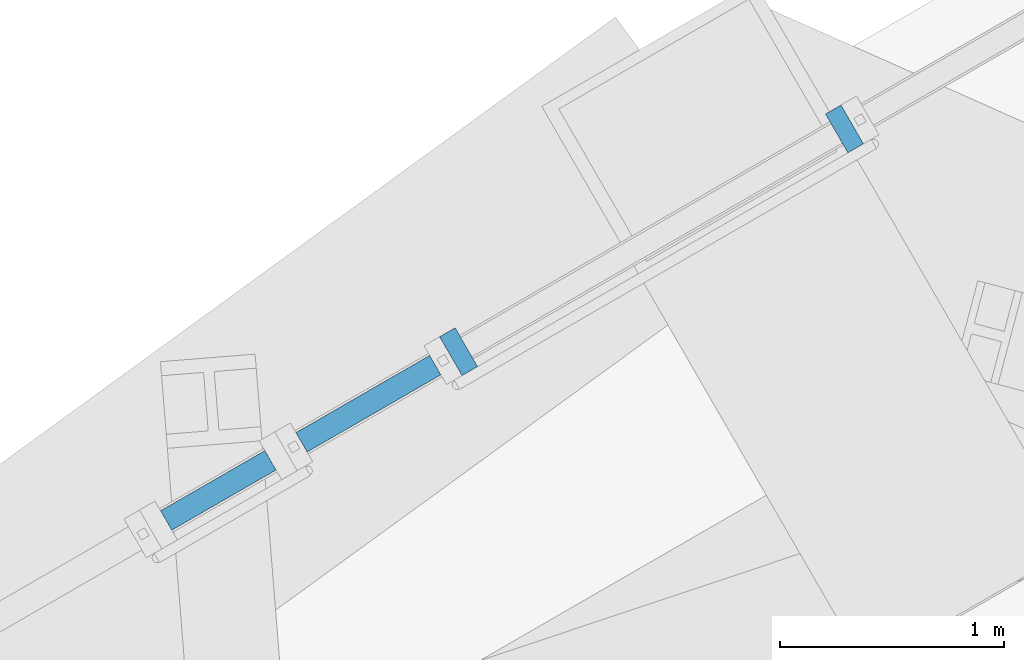
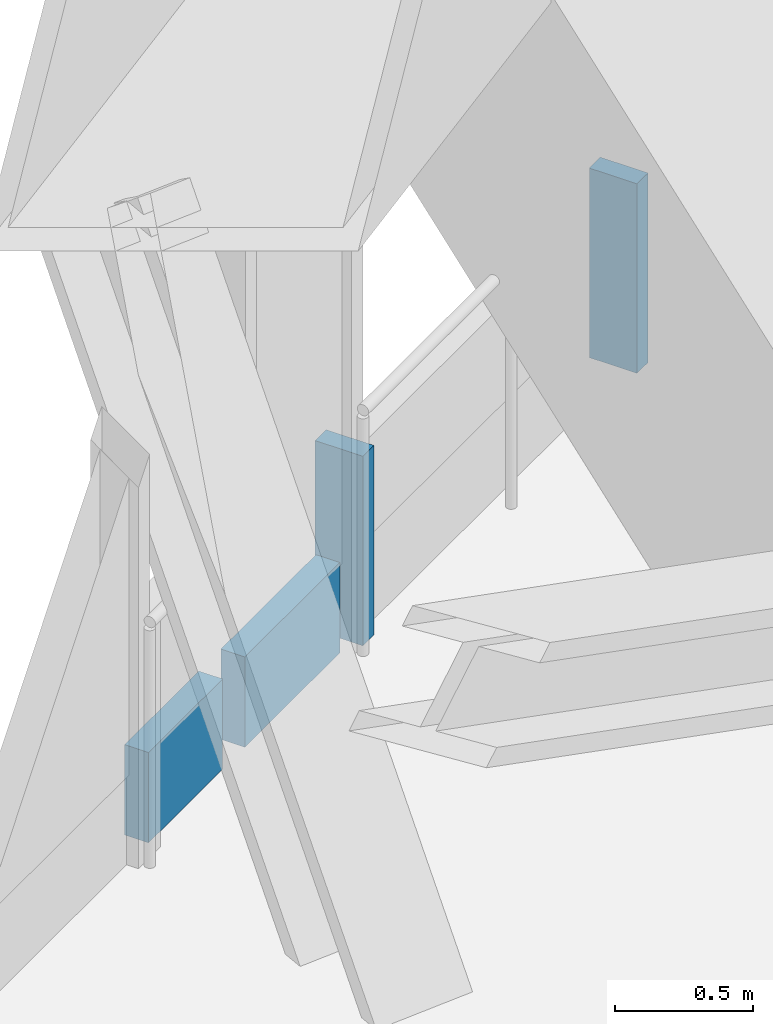
# One storey, part 11 of 23: 4 members, 3 elements without a shape of their own.
"""IFC4 building model written with IfcOpenShell, lengths in metres."""

from ifc_helpers import new_model, si_unit, direction, frame, origin, origin_2d, place, context, subcontext, project, spatial, rectangle, extrude, source, transform, mapped, material, material_profile, profile_set, type_object, element, aggregate, save


model = new_model("IFC4")

# Units and contexts
model_context = context("Model", 3, precision=1e-05, world=origin(), true_north=direction((0.0, 1.0)))
body_context = subcontext(model_context, "Body", "Model", "MODEL_VIEW")
ifc_project = project(units=[si_unit("LENGTHUNIT", "METRE"), si_unit("AREAUNIT", "SQUARE_METRE"), si_unit("VOLUMEUNIT", "CUBIC_METRE"), si_unit("PLANEANGLEUNIT", "RADIAN"), si_unit("MASSUNIT", "GRAM", prefix="KILO")], contexts=[model_context])

# Site, building, storey
site_placement = place(None, origin())
site = spatial("IfcSite", under=ifc_project, at=site_placement, CompositionType="ELEMENT")
building_placement = place(site_placement, origin())
building = spatial("IfcBuilding", under=site, at=building_placement, Name="Triune Harvest Tower", CompositionType="ELEMENT")
storey_placement = place(building_placement, frame((0.0, 0.0, 54.699951171875)))
storey = spatial("IfcBuildingStorey", under=building, at=storey_placement, Name="L12", CompositionType="ELEMENT", Elevation=54.699951171875)

# Curtain wall, members
ifc_material_1 = material(Name="Aluminium bronze anodised", Category="aluminium")
curtain_wall_type = type_object("IfcCurtainWallType", Name="CW-5 Plant louvre wall", PredefinedType="NOTDEFINED", material=ifc_material_1)
curtain_wall_1_placement = place(storey_placement, origin())
curtain_wall_1 = element("IfcCurtainWall", 1, at=curtain_wall_1_placement, inside=storey, type_object=curtain_wall_type, Name="CW-5 B1-F3 L12 run 201")
ifc_material_2 = material(Name="Aluminium bronze anodised", Category="aluminium")
ifc_material_profile_1 = material_profile(ifc_material_2, rectangle(XDim=0.199951171875, YDim=0.080078125, at=origin_2d()), Name="MU-5 mullion 80 x 200")
ifc_profile_set_1 = profile_set([ifc_material_profile_1], Name="Aluminium bronze anodised")
member_type_1 = type_object("IfcMemberType", Name="MU-5 mullion 80 x 200", PredefinedType="MULLION", material=ifc_profile_set_1)
shared_shape_1 = source(origin(), body_context, "Body", "SweptSolid", [
    extrude(rectangle(XDim=0.199951171875, YDim=0.080078125, at=origin_2d()), origin(), (0.0, 0.0, 1.0), 0.839111328125),
])
member_1_placement = place(storey_placement, frame((9.280517578125, 32.344970703125, 0.0), z_axis=(0.0, 0.0, 1.0), x_axis=(0.499990159471, -0.866031085142, 0.0)))
member_1 = element("IfcMember", 2, at=member_1_placement, type_object=member_type_1, Name="CW-5 mullion B1-F3 201.1", PredefinedType="MULLION", context=body_context, shape_type="MappedRepresentation", body=[
    mapped(shared_shape_1, transform((0.0, 0.0, 0.0), scale=1.0)),
])
member_2_placement = place(storey_placement, frame((7.5576171875, 31.350341796875, 0.0), z_axis=(0.0, 0.0, 1.0), x_axis=(0.499990159471, -0.866031085142, 0.0)))
member_2 = element("IfcMember", 3, at=member_2_placement, type_object=member_type_1, Name="CW-5 mullion B1-F3 201.2", PredefinedType="MULLION", context=body_context, shape_type="MappedRepresentation", body=[
    mapped(shared_shape_1, transform((0.0, 0.0, 0.0), scale=1.0)),
])
aggregate(curtain_wall_1, [member_1, member_2])

# Curtain wall, member
curtain_wall_2_placement = place(storey_placement, origin())
curtain_wall_2 = element("IfcCurtainWall", 4, at=curtain_wall_2_placement, inside=storey, type_object=curtain_wall_type, Name="CW-5 B1-F3 L12 run 401")
ifc_material_3 = material(Name="Aluminium bronze anodised", Category="aluminium")
ifc_material_profile_2 = material_profile(ifc_material_3, rectangle(XDim=0.10009765625, YDim=0.39990234375, at=origin_2d()), Name="TR-5 transom 100 x 400")
ifc_profile_set_2 = profile_set([ifc_material_profile_2], Name="Aluminium bronze anodised")
member_type_2 = type_object("IfcMemberType", Name="TR-5 transom 100 x 400", PredefinedType="USERDEFINED", material=ifc_profile_set_2)
shared_shape_2 = source(origin(), body_context, "Body", "SweptSolid", [
    extrude(rectangle(XDim=0.10009765625, YDim=0.39990234375, at=origin_2d()), origin(), (0.0, 0.0, 1.0), 0.537841796875),
])
member_3_placement = place(storey_placement, frame((6.718017578125, 30.865478515625, 0.199951171875), z_axis=(-0.866140237675, -0.499801049099, 0.0), x_axis=(0.499801049099, -0.866140237675, 0.0)))
member_3 = element("IfcMember", 5, at=member_3_placement, type_object=member_type_2, Name="CW-5 transom B1-F3 401.1", ObjectType="TRANSOM", PredefinedType="USERDEFINED", context=body_context, shape_type="MappedRepresentation", body=[
    mapped(shared_shape_2, transform((0.0, 0.0, 0.0), scale=1.0)),
])
aggregate(curtain_wall_2, [member_3])

curtain_wall_3_placement = place(storey_placement, origin())
curtain_wall_3 = element("IfcCurtainWall", 6, at=curtain_wall_3_placement, inside=storey, type_object=curtain_wall_type, Name="CW-5 B1-F3 L12 run 301")
shared_shape_3 = source(origin(), body_context, "Body", "SweptSolid", [
    extrude(rectangle(XDim=0.10009765625, YDim=0.39990234375, at=origin_2d()), origin(), (0.0, 0.0, 1.0), 0.689453125),
])
member_4_placement = place(storey_placement, frame((7.45361328125, 31.290283203125, 0.199951171875), z_axis=(-0.866055875208, -0.499947218231, 0.0), x_axis=(0.499947218231, -0.866055875208, 0.0)))
member_4 = element("IfcMember", 7, at=member_4_placement, type_object=member_type_2, Name="CW-5 transom B1-F3 301.1", ObjectType="TRANSOM", PredefinedType="USERDEFINED", context=body_context, shape_type="MappedRepresentation", body=[
    mapped(shared_shape_3, transform((0.0, 0.0, 0.0), scale=1.0)),
])
aggregate(curtain_wall_3, [member_4])

save(model, "model.ifc")
